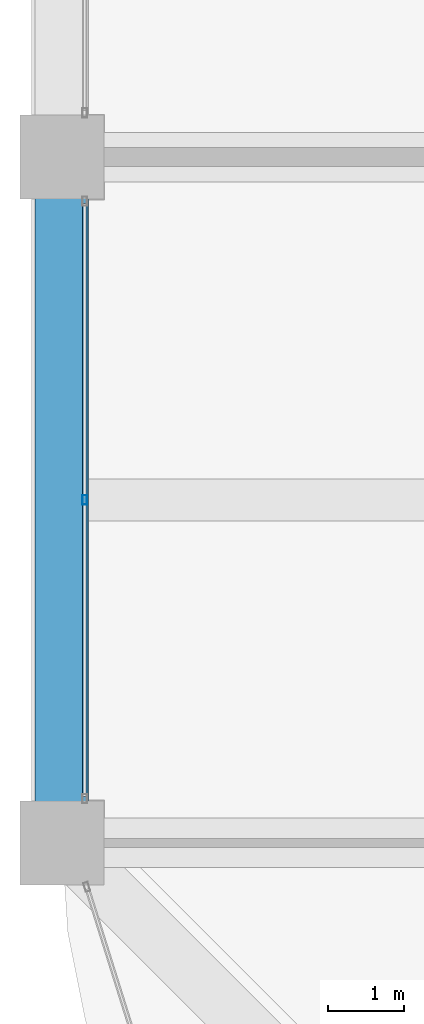
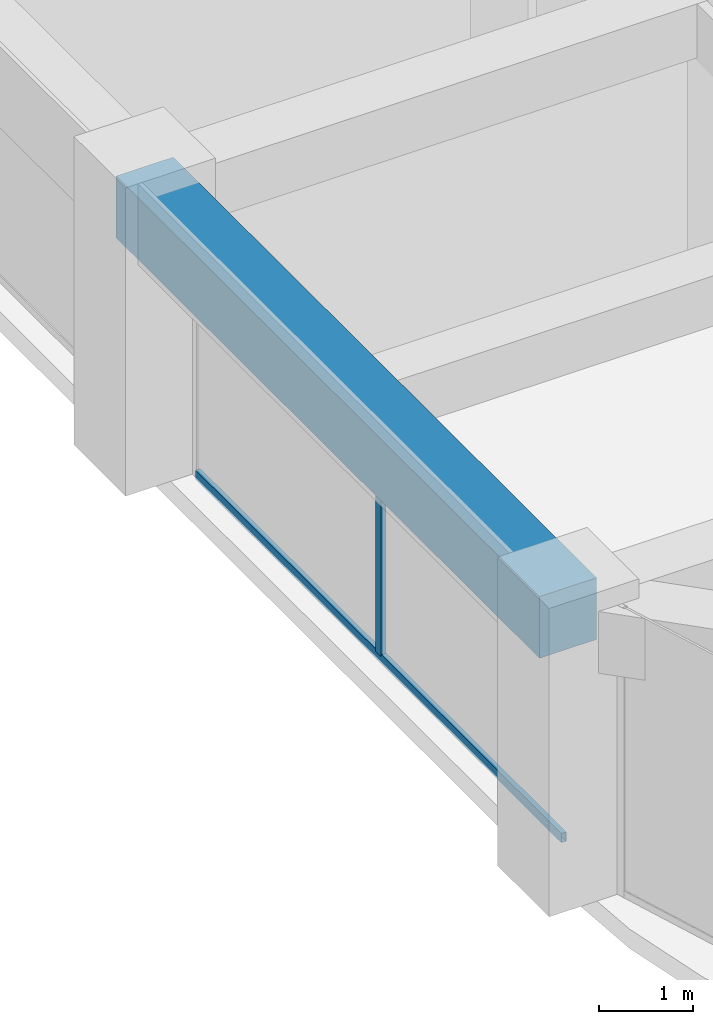
# One storey, part 7 of 44: 2 members, 1 beam, 1 element without a shape of its own.
"""IFC4 building model written with IfcOpenShell, lengths in metres."""

from ifc_helpers import new_model, si_unit, direction, frame, origin, origin_2d, place, context, subcontext, project, spatial, rectangle, hollow_rectangle, extrude, material, material_profile, profile_set, type_object, element, aggregate, save


model = new_model("IFC4")

# Units and contexts
model_context = context("Model", 3, precision=1e-05, world=origin(), true_north=direction((0.0, 1.0)))
body_context = subcontext(model_context, "Body", "Model", "MODEL_VIEW")
ifc_project = project(units=[si_unit("LENGTHUNIT", "METRE"), si_unit("AREAUNIT", "SQUARE_METRE"), si_unit("VOLUMEUNIT", "CUBIC_METRE"), si_unit("PLANEANGLEUNIT", "RADIAN"), si_unit("MASSUNIT", "GRAM", prefix="KILO")], contexts=[model_context])

# Site, building, storey
site_placement = place(None, origin())
site = spatial("IfcSite", under=ifc_project, at=site_placement, CompositionType="ELEMENT")
building_placement = place(site_placement, origin())
building = spatial("IfcBuilding", under=site, at=building_placement, Name="Zorevar Civic Tower", CompositionType="ELEMENT")
storey_placement = place(building_placement, frame((0.0, 0.0, 271.39990234375)))
storey = spatial("IfcBuildingStorey", under=building, at=storey_placement, Name="L66", CompositionType="ELEMENT", Elevation=271.39990234375)

# Curtain wall, members
ifc_material_1 = material(Name="Dark grey solar-control glass in black aluminium frame", Category="aluminium")
curtain_wall_type = type_object("IfcCurtainWallType", Name="Curtain wall CW5 top zone", PredefinedType="NOTDEFINED", material=ifc_material_1)
curtain_wall_placement = place(storey_placement, origin())
curtain_wall = element("IfcCurtainWall", 1, at=curtain_wall_placement, inside=storey, type_object=curtain_wall_type, Name="CW5 L66", PredefinedType="NOTDEFINED")
ifc_material_2 = material(Name="Aluminium, black anodised", Category="aluminium")
ifc_material_profile_1 = material_profile(ifc_material_2, hollow_rectangle(XDim=0.06005859375, YDim=0.1201171875, WallThickness=0.0029296875, at=origin_2d()), Name="AL 120x60x3")
ifc_profile_set_1 = profile_set([ifc_material_profile_1], Name="Aluminium, black anodised")
member_type_1 = type_object("IfcMemberType", Name="CW5 mullion AL 120x60x3", PredefinedType="MULLION", material=ifc_profile_set_1)
member_1_placement = place(storey_placement, frame((9.300048828125, 13.5, 0.06005859375), z_axis=(0.0, 0.0, 1.0), x_axis=(-1.0, 0.0, 0.0)))
member_1 = element("IfcMember", 2, at=member_1_placement, type_object=member_type_1, Name="CW5 mullion 2", PredefinedType="MULLION", context=body_context, shape_type="SweptSolid", body=[
    extrude(hollow_rectangle(XDim=0.06005859375, YDim=0.1201171875, WallThickness=0.0029296875, at=origin_2d()), origin(), (0.0, 0.0, 1.0), 2.89013671875),
])
ifc_material_3 = material(Name="Aluminium, black anodised", Category="aluminium")
ifc_material_profile_2 = material_profile(ifc_material_3, hollow_rectangle(XDim=0.06005859375, YDim=0.1201171875, WallThickness=0.0029296875, at=origin_2d()), Name="AL 120x60x3")
ifc_profile_set_2 = profile_set([ifc_material_profile_2], Name="Aluminium, black anodised")
member_type_2 = type_object("IfcMemberType", Name="CW5 transom AL 120x60x3", PredefinedType="USERDEFINED", material=ifc_profile_set_2)
member_2_placement = place(storey_placement, frame((9.300048828125, 9.610107421875, 0.030029296875), z_axis=(0.0, 1.0, 0.0), x_axis=(-1.0, 0.0, 0.0)))
member_2 = element("IfcMember", 3, at=member_2_placement, type_object=member_type_2, Name="CW5 sill transom", ObjectType="TRANSOM", PredefinedType="USERDEFINED", context=body_context, shape_type="SweptSolid", body=[
    extrude(hollow_rectangle(XDim=0.06005859375, YDim=0.1201171875, WallThickness=0.0029296875, at=origin_2d()), origin(), (0.0, 0.0, 1.0), 7.77978515625),
])
aggregate(curtain_wall, [member_1, member_2])

# Beam
ifc_material_4 = material(Name="Concrete C50/60", Category="concrete")
ifc_material_profile_3 = material_profile(ifc_material_4, rectangle(XDim=0.699951171875, YDim=0.800048828125, at=origin_2d()), Name="RC 700x800")
ifc_profile_set_3 = profile_set([ifc_material_profile_3], Name="Concrete C50/60")
beam_type = type_object("IfcBeamType", Name="Edge beam RC 700x800", PredefinedType="SPANDREL", material=ifc_profile_set_3)
beam_placement = place(storey_placement, frame((9.0, 9.0, 3.35009765625), z_axis=(0.0, 1.0, 0.0), x_axis=(-1.0, 0.0, 0.0)))
element("IfcBeam", 4, at=beam_placement, inside=storey, type_object=beam_type, Name="Edge beam L67", PredefinedType="SPANDREL", context=body_context, shape_type="SweptSolid", body=[
    extrude(rectangle(XDim=0.699951171875, YDim=0.800048828125, at=origin_2d()), origin(), (0.0, 0.0, 1.0), 9.0),
])

save(model, "model.ifc")
